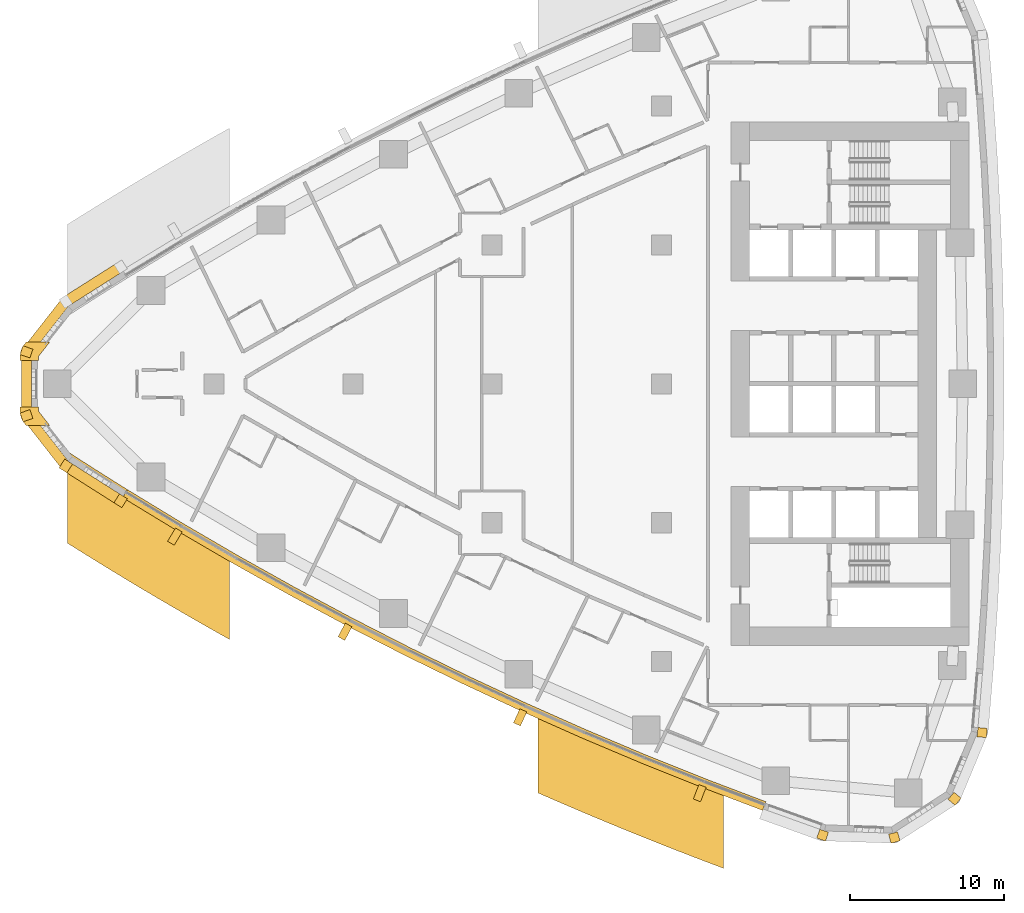
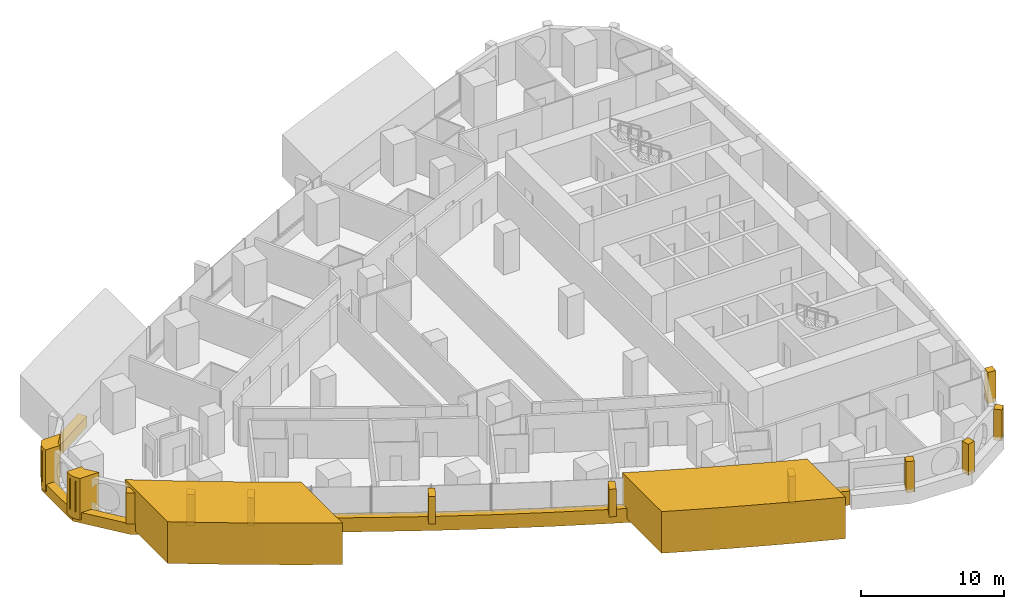
# One storey, part 15 of 19: 18 coverings.
"""IFC4 building model written with IfcOpenShell, lengths in metres."""

from ifc_helpers import new_model, si_unit, direction, frame, frame_2d, origin, place, context, subcontext, project, spatial, polyline, rectangle, outline, extrude, material, layer, layer_set, type_object, element, save


model = new_model("IFC4")

# Units and contexts
model_context = context("Model", 3, precision=1e-05, world=origin(), true_north=direction((0.0, 1.0)))
body_context = subcontext(model_context, "Body", "Model", "MODEL_VIEW")
ifc_project = project(units=[si_unit("LENGTHUNIT", "METRE"), si_unit("AREAUNIT", "SQUARE_METRE"), si_unit("VOLUMEUNIT", "CUBIC_METRE"), si_unit("PLANEANGLEUNIT", "RADIAN"), si_unit("MASSUNIT", "GRAM", prefix="KILO")], contexts=[model_context])

# Site, building, storey
site_placement = place(None, origin())
site = spatial("IfcSite", under=ifc_project, at=site_placement, CompositionType="ELEMENT")
building_placement = place(site_placement, origin())
building = spatial("IfcBuilding", under=site, at=building_placement, Name="Ostrand Prow Hotel Tower", CompositionType="ELEMENT")
storey_placement = place(building_placement, frame((0.0, 0.0, 53.800048828125)))
storey = spatial("IfcBuildingStorey", under=building, at=storey_placement, Name="L11", CompositionType="ELEMENT", Elevation=53.800048828125)

# Coverings
ifc_material_1 = material(Name="Bronze anodised aluminium cladding", Category="aluminium")
ifc_layer_1 = layer(ifc_material_1, 0.60009765625)
ifc_layer_set_1 = layer_set([ifc_layer_1], Name="Bronze anodised aluminium cladding")
covering_type_1 = type_object("IfcCoveringType", Name="Bronze prow band 899x600", PredefinedType="CLADDING", material=ifc_layer_set_1)
covering_1_placement = place(storey_placement, frame((0.0, 0.0, -0.300048828125)))
element("IfcCovering", 1, at=covering_1_placement, inside=storey, type_object=covering_type_1, Name="Bronze prow band", PredefinedType="CLADDING", context=body_context, shape_type="SweptSolid", body=[
    extrude(outline(polyline([(9.77734375, 7.864013671875), (6.2197265625, 5.6083984375), (3.53369140625, 2.178466796875), (3.53369140625, -2.178466796875), (6.2197265625, -5.6083984375), (9.77734375, -7.864013671875), (10.13623046875, -7.286376953125), (6.589111328125, -5.03759765625), (4.176513671875, -1.95654296875), (4.176513671875, 1.95654296875), (6.589111328125, 5.03759765625), (10.13623046875, 7.286376953125), (9.77734375, 7.864013671875)])), origin(), (0.0, 0.0, 1.0), 0.89990234375),
])
ifc_material_2 = material(Name="Bronze anodised aluminium cladding", Category="aluminium")
ifc_layer_2 = layer(ifc_material_2, 0.60009765625)
ifc_layer_set_2 = layer_set([ifc_layer_2], Name="Bronze anodised aluminium cladding")
covering_type_2 = type_object("IfcCoveringType", Name="Bronze spandrel band 1200x600", PredefinedType="CLADDING", material=ifc_layer_set_2)
covering_2_placement = place(storey_placement, frame((0.0, 0.0, -0.300048828125)))
element("IfcCovering", 2, at=covering_2_placement, inside=storey, type_object=covering_type_2, Name="Spandrel band S1", PredefinedType="CLADDING", context=body_context, shape_type="SweptSolid", body=[
    extrude(outline(polyline([(10.08349609375, -7.371337890625), (13.672607421875, -9.555419921875), (17.301513671875, -11.673095703125), (20.968994140625, -13.723876953125), (24.673095703125, -15.70654296875), (28.413330078125, -17.62060546875), (32.188232421875, -19.4658203125), (35.996337890625, -21.2412109375), (39.83642578125, -22.946044921875), (43.70751953125, -24.580078125), (47.607666015625, -26.142578125), (51.5361328125, -27.6328125), (51.743896484375, -27.070068359375), (47.82568359375, -25.58349609375), (43.935791015625, -24.025146484375), (40.074951171875, -22.3955078125), (36.244873046875, -20.695068359375), (32.44677734375, -18.92431640625), (28.681884765625, -17.083984375), (24.951416015625, -15.1748046875), (21.2568359375, -13.197509765625), (17.59912109375, -11.152099609375), (13.97998046875, -9.0400390625), (10.39990234375, -6.86181640625), (10.08349609375, -7.371337890625)])), origin(), (0.0, 0.0, 1.0), 1.199951171875),
])
ifc_material_3 = material(Name="Limestone cladding", Category="masonry")
ifc_layer_3 = layer(ifc_material_3, 5.0)
ifc_layer_set_3 = layer_set([ifc_layer_3], Name="Limestone cladding")
covering_type_3 = type_object("IfcCoveringType", Name="Portal jamb pilaster limestone", PredefinedType="CLADDING", material=ifc_layer_set_3)
covering_3_placement = place(storey_placement, origin())
element("IfcCovering", 3, at=covering_3_placement, inside=storey, type_object=covering_type_3, Name="Portal jamb SA L11", PredefinedType="CLADDING", context=body_context, shape_type="SweptSolid", body=[
    extrude(outline(polyline([(6.5, -4.3837890625), (6.5, -10.319580078125), (7.45458984375, -10.917724609375), (8.4091796875, -11.509521484375), (9.363525390625, -12.09521484375), (10.318115234375, -12.67431640625), (11.272705078125, -13.247314453125), (12.227294921875, -13.81396484375), (13.181884765625, -14.37451171875), (14.136474609375, -14.92919921875), (15.0908203125, -15.4775390625), (16.04541015625, -16.020263671875), (17.0, -16.556640625), (17.0, -10.80859375), (16.04541015625, -10.25634765625), (15.0908203125, -9.697998046875), (14.136474609375, -9.13330078125), (13.181884765625, -8.562255859375), (12.227294921875, -7.98486328125), (11.272705078125, -7.401123046875), (10.318115234375, -6.810791015625), (9.363525390625, -6.214111328125), (8.4091796875, -5.610595703125), (7.45458984375, -5.00048828125), (6.5, -4.3837890625)])), origin(), (0.0, 0.0, 1.0), 3.550048828125),
])
covering_4_placement = place(storey_placement, origin())
element("IfcCovering", 4, at=covering_4_placement, inside=storey, type_object=covering_type_3, Name="Portal jamb SB L11", PredefinedType="CLADDING", context=body_context, shape_type="SweptSolid", body=[
    extrude(outline(polyline([(37.0, -21.037109375), (37.0, -26.50927734375), (38.0, -26.945556640625), (39.0, -27.376220703125), (40.0, -27.801513671875), (41.0, -28.22119140625), (42.0, -28.635498046875), (43.0, -29.044189453125), (44.0, -29.447509765625), (45.0, -29.845703125), (46.0, -30.23828125), (47.0, -30.62548828125), (48.0, -31.0078125), (49.0, -31.384521484375), (49.0, -26.03759765625), (48.0, -25.6513671875), (47.0, -25.259765625), (46.0, -24.862548828125), (45.0, -24.459716796875), (44.0, -24.051513671875), (43.0, -23.637939453125), (42.0, -23.218505859375), (41.0, -22.793701171875), (40.0, -22.363037109375), (39.0, -21.9267578125), (38.0, -21.484619140625), (37.0, -21.037109375)])), origin(), (0.0, 0.0, 1.0), 3.550048828125),
])
ifc_material_4 = material(Name="Limestone cladding", Category="masonry")
ifc_layer_4 = layer(ifc_material_4, 0.5)
ifc_layer_set_4 = layer_set([ifc_layer_4], Name="Limestone cladding")
covering_type_4 = type_object("IfcCoveringType", Name="Precast stone fin 500x900", PredefinedType="CLADDING", material=ifc_layer_set_4)
for number, where, z_axis, x_axis, name in (
    (5, (13.723876953125, -9.469482421875, 0.89990234375), (0.0, 0.0, 1.0), (-0.511908673433, -0.859039876877, 0.0), "Stone fin S 2"),
    (6, (24.719482421875, -15.617919921875, 0.89990234375), (0.0, 0.0, 1.0), (-0.463642032659, -0.886022610068, 0.0), "Stone fin S 5"),
    (7, (36.037841796875, -21.150146484375, 0.89990234375), (0.0, 0.0, 1.0), (-0.414299516417, -0.910140599411, 0.0), "Stone fin S 8"),
    (8, (47.64404296875, -26.04931640625, 0.89990234375), (0.0, 0.0, 1.0), (-0.363294415892, -0.931674389141, 0.0), "Stone fin S 11"),
):
    element("IfcCovering", number, at=place(storey_placement, frame(where, z_axis=z_axis, x_axis=x_axis)), inside=storey, type_object=covering_type_4, Name=name, PredefinedType="CLADDING", context=body_context, shape_type="SweptSolid", body=[
        extrude(rectangle(XDim=1.0, YDim=0.5, at=frame_2d((0.5, 0.0))), origin(), (0.0, 0.0, 1.0), 2.35009765625),
    ])
ifc_material_5 = material(Name="Limestone cladding", Category="masonry")
ifc_layer_5 = layer(ifc_material_5, 0.60009765625)
ifc_layer_set_5 = layer_set([ifc_layer_5], Name="Limestone cladding")
covering_type_5 = type_object("IfcCoveringType", Name="Precast stone prow rib 600x600", PredefinedType="CLADDING", material=ifc_layer_set_5)
for number, where, z_axis, x_axis, name in (
    (9, (4.176513671875, 1.95654296875, 0.599853515625), (0.0, 0.0, 1.0), (-0.945254650653, 0.326333641262, 0.0), "Stone prow rib 3"),
    (10, (4.176513671875, -1.95654296875, 0.599853515625), (0.0, 0.0, 1.0), (-0.945254650653, -0.326333641262, 0.0), "Stone prow rib 4"),
    (11, (6.589111328125, -5.03759765625, 0.599853515625), (0.0, 0.0, 1.0), (-0.543295944087, -0.839541253983, 0.0), "Stone prow rib 5"),
    (12, (10.13623046875, -7.286376953125, 0.599853515625), (0.0, 0.0, 1.0), (-0.527738148304, -0.849407114889, 0.0), "Stone prow rib 6"),
):
    element("IfcCovering", number, at=place(storey_placement, frame(where, z_axis=z_axis, x_axis=x_axis)), inside=storey, type_object=covering_type_5, Name=name, PredefinedType="CLADDING", context=body_context, shape_type="SweptSolid", body=[
        extrude(rectangle(XDim=0.679931640625, YDim=0.60009765625, at=frame_2d((0.33984375, 0.0))), origin(), (0.0, 0.0, 1.0), 2.650146484375),
    ])
for number, where, z_axis, x_axis, name in (
    (13, (55.524169921875, -28.956298828125, 0.599853515625), (0.0, 0.0, 1.0), (-0.328773122904, -0.94440893349, 0.0), "Stone corner rib 2a"),
    (14, (59.98681640625, -29.1025390625, 0.599853515625), (0.0, 0.0, 1.0), (0.266111535611, -0.963942244439, 0.0), "Stone corner rib 3a"),
    (15, (63.74169921875, -26.6865234375, 0.599853515625), (0.0, 0.0, 1.0), (0.766985844654, -0.641664019639, 0.0), "Stone corner rib 4a"),
    (16, (65.4580078125, -22.564453125, 0.599853515625), (0.0, 0.0, 1.0), (0.995724747837, -0.09237005221, 0.0), "Stone corner rib 4b"),
):
    element("IfcCovering", number, at=place(storey_placement, frame(where, z_axis=z_axis, x_axis=x_axis)), inside=storey, type_object=covering_type_5, Name=name, PredefinedType="CLADDING", context=body_context, shape_type="SweptSolid", body=[
        extrude(rectangle(XDim=0.60009765625, YDim=0.60009765625, at=frame_2d((0.300048828125, 0.0))), origin(), (0.0, 0.0, 1.0), 2.650146484375),
    ])
ifc_material_6 = material(Name="Limestone cladding", Category="masonry")
ifc_layer_6 = layer(ifc_material_6, 3.0)
ifc_layer_set_6 = layer_set([ifc_layer_6], Name="Limestone cladding")
covering_type_6 = type_object("IfcCoveringType", Name="Prow nose pier limestone", PredefinedType="CLADDING", material=ifc_layer_set_6)
covering_5_placement = place(storey_placement, origin())
element("IfcCovering", 17, at=covering_5_placement, inside=storey, type_object=covering_type_6, Name="Prow spine fin N L11", PredefinedType="CLADDING", context=body_context, shape_type="SweptSolid", body=[
    extrude(outline(polyline([(3.44921875, 1.793701171875), (3.44921875, 1.5), (4.649169921875, 1.5), (4.649169921875, 1.793701171875), (5.35888671875, 2.699951171875), (3.834716796875, 2.699951171875), (3.704345703125, 2.533447265625), (3.638427734375, 2.440673828125), (3.581787109375, 2.341796875), (3.53466796875, 2.23828125), (3.49755859375, 2.130615234375), (3.470703125, 2.02001953125), (3.45458984375, 1.9072265625), (3.44921875, 1.793701171875)])), origin(), (0.0, 0.0, 1.0), 3.550048828125),
])
covering_6_placement = place(storey_placement, origin())
element("IfcCovering", 18, at=covering_6_placement, inside=storey, type_object=covering_type_6, Name="Prow spine fin S L11", PredefinedType="CLADDING", context=body_context, shape_type="SweptSolid", body=[
    extrude(outline(polyline([(3.704345703125, -2.533447265625), (3.834716796875, -2.699951171875), (5.35888671875, -2.699951171875), (4.649169921875, -1.793701171875), (4.649169921875, -1.5), (3.44921875, -1.5), (3.44921875, -1.793701171875), (3.45458984375, -1.9072265625), (3.470703125, -2.02001953125), (3.49755859375, -2.130615234375), (3.53466796875, -2.23828125), (3.581787109375, -2.341796875), (3.638427734375, -2.440673828125), (3.704345703125, -2.533447265625)])), origin(), (0.0, 0.0, 1.0), 3.550048828125),
])

save(model, "model.ifc")
